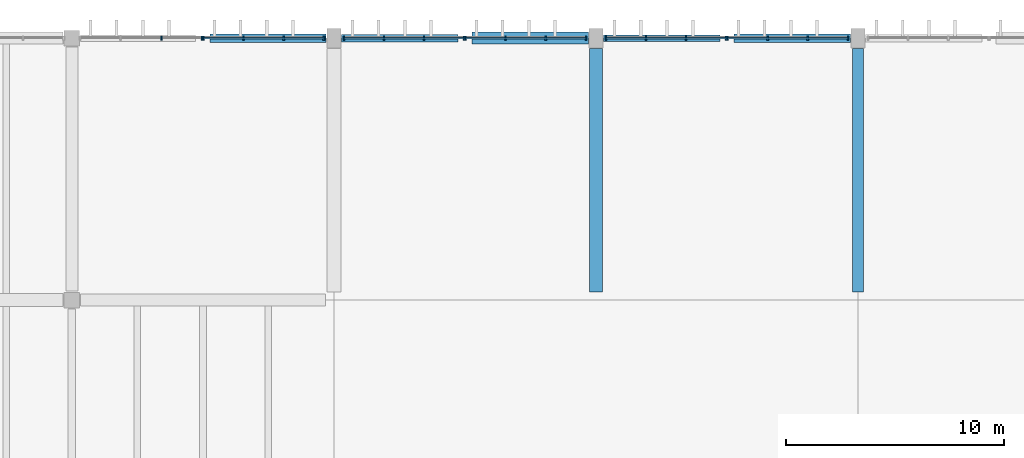
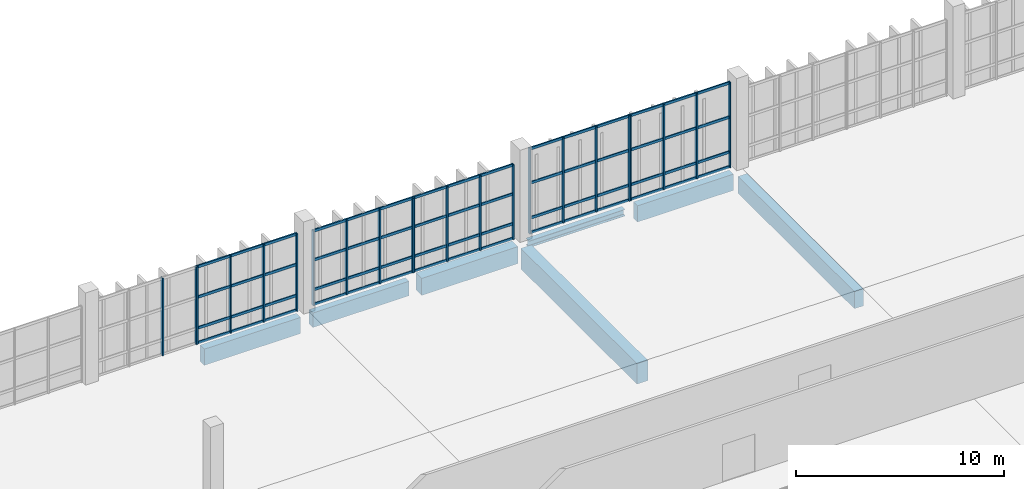
# One storey, part 53 of 112: 42 members, 7 beams, 6 elements without a shape of their own.
"""IFC4 building model written with IfcOpenShell, lengths in metres."""

from ifc_helpers import new_model, si_unit, direction, frame, origin, origin_2d, place, context, subcontext, project, spatial, rectangle, i_section, extrude, material, material_profile, profile_set, type_object, element, aggregate, save


model = new_model("IFC4")

# Units and contexts
model_context = context("Model", 3, precision=1e-05, world=origin(), true_north=direction((0.0, 1.0)))
body_context = subcontext(model_context, "Body", "Model", "MODEL_VIEW")
ifc_project = project(units=[si_unit("LENGTHUNIT", "METRE"), si_unit("AREAUNIT", "SQUARE_METRE"), si_unit("VOLUMEUNIT", "CUBIC_METRE"), si_unit("PLANEANGLEUNIT", "RADIAN"), si_unit("MASSUNIT", "GRAM", prefix="KILO")], contexts=[model_context])

# Site, building, storey
site_placement = place(None, origin())
site = spatial("IfcSite", under=ifc_project, at=site_placement, CompositionType="ELEMENT")
building_placement = place(site_placement, origin())
building = spatial("IfcBuilding", under=site, at=building_placement, Name="Kamomehara Wholesale Market", CompositionType="ELEMENT")
storey_placement = place(building_placement, frame((0.0, 0.0, 6.60009765625)))
storey = spatial("IfcBuildingStorey", under=building, at=storey_placement, Name="L01", CompositionType="ELEMENT", Elevation=6.60009765625)

# Beams
ifc_material_1 = material(Name="Precast concrete Fc45 (C40/50)", Category="concrete")
ifc_material_profile_1 = material_profile(ifc_material_1, rectangle(XDim=0.5, YDim=1.0, at=origin_2d()), Name="PC-GRD-500x1000")
ifc_profile_set_1 = profile_set([ifc_material_profile_1], Name="Precast concrete Fc45 (C40/50)")
beam_type_1 = type_object("IfcBeamType", Name="BM-PG1000", PredefinedType="T_BEAM", material=ifc_profile_set_1)
beam_1_placement = place(storey_placement, frame((96.0, 144.375, -0.83203125), z_axis=(0.0, 1.0, 0.0), x_axis=(-1.0, 0.0, 0.0)))
element("IfcBeam", 1, at=beam_1_placement, inside=storey, type_object=beam_type_1, Name="Beam PG-09 L01", PredefinedType="T_BEAM", context=body_context, shape_type="SweptSolid", body=[
    extrude(rectangle(XDim=0.5, YDim=1.0, at=origin_2d()), origin(), (0.0, 0.0, 1.0), 11.14990234375),
])
ifc_material_2 = material(Name="Precast concrete Fc45 (C40/50)", Category="concrete")
ifc_material_profile_2 = material_profile(ifc_material_2, rectangle(XDim=0.60009765625, YDim=1.199951171875, at=origin_2d()), Name="PC-GRD-600x1200")
ifc_profile_set_2 = profile_set([ifc_material_profile_2], Name="Precast concrete Fc45 (C40/50)")
beam_type_2 = type_object("IfcBeamType", Name="BM-PG1200", PredefinedType="T_BEAM", material=ifc_profile_set_2)
beam_2_placement = place(storey_placement, frame((84.0, 144.375, -0.93212890625), z_axis=(0.0, 1.0, 0.0), x_axis=(-1.0, 0.0, 0.0)))
element("IfcBeam", 2, at=beam_2_placement, inside=storey, type_object=beam_type_2, Name="Beam PG-05 L01", PredefinedType="T_BEAM", context=body_context, shape_type="SweptSolid", body=[
    extrude(rectangle(XDim=0.60009765625, YDim=1.199951171875, at=origin_2d()), origin(), (0.0, 0.0, 1.0), 11.14990234375),
])
ifc_material_3 = material(Name="Concrete Fc36 (C35/45)", Category="concrete")
ifc_material_profile_3 = material_profile(ifc_material_3, rectangle(XDim=0.550048828125, YDim=1.0, at=origin_2d()), Name="RC-SEB-550x1000")
ifc_profile_set_3 = profile_set([ifc_material_profile_3], Name="Concrete Fc36 (C35/45)")
beam_type_3 = type_object("IfcBeamType", Name="BM-SEB1000-EXT", PredefinedType="SPANDREL", material=ifc_profile_set_3)
beam_3_placement = place(storey_placement, frame((78.324951171875, 156.0, -0.83203125), z_axis=(1.0, 0.0, 0.0), x_axis=(0.0, 1.0, 0.0)))
element("IfcBeam", 3, at=beam_3_placement, inside=storey, type_object=beam_type_3, Name="Beam SEB-03E L01", PredefinedType="SPANDREL", context=body_context, shape_type="SweptSolid", body=[
    extrude(rectangle(XDim=0.550048828125, YDim=1.0, at=origin_2d()), origin(), (0.0, 0.0, 1.0), 5.324951171875),
])
ifc_material_4 = material(Name="Precast concrete Fc45 (C40/50)", Category="concrete")
ifc_material_profile_4 = material_profile(ifc_material_4, rectangle(XDim=0.35009765625, YDim=0.85009765625, at=origin_2d()), Name="PC-SPN-350x850")
ifc_profile_set_4 = profile_set([ifc_material_profile_4], Name="Precast concrete Fc45 (C40/50)")
beam_type_4 = type_object("IfcBeamType", Name="BM-SPN850-EXT", PredefinedType="SPANDREL", material=ifc_profile_set_4)
beam_4_placement = place(storey_placement, frame((72.35009765625, 156.0, -0.757080078125), z_axis=(1.0, 0.0, 0.0), x_axis=(0.0, 1.0, 0.0)))
element("IfcBeam", 4, at=beam_4_placement, inside=storey, type_object=beam_type_4, Name="Beam SPN-02E L01", PredefinedType="SPANDREL", context=body_context, shape_type="SweptSolid", body=[
    extrude(rectangle(XDim=0.35009765625, YDim=0.85009765625, at=origin_2d()), origin(), (0.0, 0.0, 1.0), 5.324951171875),
])
ifc_material_5 = material(Name="Precast concrete Fc45 (C40/50)", Category="concrete")
ifc_material_profile_5 = material_profile(ifc_material_5, rectangle(XDim=0.39990234375, YDim=0.949951171875, at=origin_2d()), Name="PC-SPN-400x950")
ifc_profile_set_5 = profile_set([ifc_material_profile_5], Name="Precast concrete Fc45 (C40/50)")
beam_type_5 = type_object("IfcBeamType", Name="BM-SPN950-EXT", PredefinedType="SPANDREL", material=ifc_profile_set_5)
for number, where, z_axis, x_axis, name in (
    (5, (66.324951171875, 156.0, -0.797119140625), (1.0, 0.0, 0.0), (0.0, 1.0, 0.0), "Beam SPN-01E L01"),
    (6, (90.324951171875, 156.0, -0.80712890625), (1.0, 0.0, 0.0), (0.0, 1.0, 0.0), "Beam SPN-01E L01"),
):
    element("IfcBeam", number, at=place(storey_placement, frame(where, z_axis=z_axis, x_axis=x_axis)), inside=storey, type_object=beam_type_5, Name=name, PredefinedType="SPANDREL", context=body_context, shape_type="SweptSolid", body=[
        extrude(rectangle(XDim=0.39990234375, YDim=0.949951171875, at=origin_2d()), origin(), (0.0, 0.0, 1.0), 5.324951171875),
    ])
ifc_material_6 = material(Name="Steel SN490B", Category="steel")
ifc_material_profile_6 = material_profile(ifc_material_6, i_section(OverallWidth=0.300048828125, OverallDepth=0.389892578125, WebThickness=0.010009765625, FlangeThickness=0.01611328125, FilletRadius=0.01806640625, at=origin_2d()), Name="H-390x300x10x16")
ifc_profile_set_6 = profile_set([ifc_material_profile_6], Name="Steel SN490B")
beam_type_6 = type_object("IfcBeamType", Name="BM-ST-H390-EXT", PredefinedType="SPANDREL", material=ifc_profile_set_6)
beam_5_placement = place(storey_placement, frame((84.35009765625, 156.0, -0.527099609375), z_axis=(1.0, 0.0, 0.0), x_axis=(0.0, 1.0, 0.0)))
element("IfcBeam", 7, at=beam_5_placement, inside=storey, type_object=beam_type_6, Name="Beam SJ-03E L01", PredefinedType="SPANDREL", context=body_context, shape_type="SweptSolid", body=[
    extrude(i_section(OverallWidth=0.300048828125, OverallDepth=0.389892578125, WebThickness=0.010009765625, FlangeThickness=0.01611328125, FilletRadius=0.01806640625, at=origin_2d()), origin(), (0.0, 0.0, 1.0), 5.324951171875),
])

# Curtain wall, members
ifc_material_7 = material(Name="Anodised aluminium 6063-T5", Category="aluminium")
curtain_wall_type = type_object("IfcCurtainWallType", Name="CW-UN-02", PredefinedType="NOTDEFINED", material=ifc_material_7)
curtain_wall_1_placement = place(storey_placement, origin())
curtain_wall_1 = element("IfcCurtainWall", 8, at=curtain_wall_1_placement, inside=storey, type_object=curtain_wall_type, Name="Unitised curtain wall CW-057", PredefinedType="NOTDEFINED")
ifc_material_8 = material(Name="Anodised aluminium 6063-T5", Category="aluminium")
ifc_material_profile_7 = material_profile(ifc_material_8, rectangle(XDim=0.074951171875, YDim=0.179931640625, at=origin_2d()), Name="ALU-MUL-75x180")
ifc_profile_set_7 = profile_set([ifc_material_profile_7], Name="Anodised aluminium 6063-T5")
member_type_1 = type_object("IfcMemberType", Name="CW-MUL-180", PredefinedType="MULLION", material=ifc_profile_set_7)
member_1_placement = place(storey_placement, frame((64.10302734375, 156.0, 0.0), z_axis=(0.0, 0.0, 1.0), x_axis=(1.0, 0.0, 0.0)))
member_1 = element("IfcMember", 9, at=member_1_placement, type_object=member_type_1, Name="Mullion CW-057.2", PredefinedType="MULLION", context=body_context, shape_type="SweptSolid", body=[
    extrude(rectangle(XDim=0.074951171875, YDim=0.179931640625, at=origin_2d()), origin(), (0.0, 0.0, 1.0), 4.52978515625),
])
member_2_placement = place(storey_placement, frame((65.969970703125, 156.0, 0.0), z_axis=(0.0, 0.0, 1.0), x_axis=(1.0, 0.0, 0.0)))
member_2 = element("IfcMember", 10, at=member_2_placement, type_object=member_type_1, Name="Mullion CW-057.3", PredefinedType="MULLION", context=body_context, shape_type="SweptSolid", body=[
    extrude(rectangle(XDim=0.074951171875, YDim=0.179931640625, at=origin_2d()), origin(), (0.0, 0.0, 1.0), 4.52978515625),
])
aggregate(curtain_wall_1, [member_1, member_2])

curtain_wall_2_placement = place(storey_placement, origin())
curtain_wall_2 = element("IfcCurtainWall", 11, at=curtain_wall_2_placement, inside=storey, type_object=curtain_wall_type, Name="Unitised curtain wall CW-058", PredefinedType="NOTDEFINED")
member_3_placement = place(storey_placement, frame((66.030029296875, 156.0, 0.0), z_axis=(0.0, 0.0, 1.0), x_axis=(1.0, 0.0, 0.0)))
member_3 = element("IfcMember", 12, at=member_3_placement, type_object=member_type_1, Name="Mullion CW-058.0", PredefinedType="MULLION", context=body_context, shape_type="SweptSolid", body=[
    extrude(rectangle(XDim=0.074951171875, YDim=0.179931640625, at=origin_2d()), origin(), (0.0, 0.0, 1.0), 4.52978515625),
])
member_4_placement = place(storey_placement, frame((67.866943359375, 156.0, 0.0), z_axis=(0.0, 0.0, 1.0), x_axis=(1.0, 0.0, 0.0)))
member_4 = element("IfcMember", 13, at=member_4_placement, type_object=member_type_1, Name="Mullion CW-058.1", PredefinedType="MULLION", context=body_context, shape_type="SweptSolid", body=[
    extrude(rectangle(XDim=0.074951171875, YDim=0.179931640625, at=origin_2d()), origin(), (0.0, 0.0, 1.0), 4.52978515625),
])
member_5_placement = place(storey_placement, frame((69.702880859375, 156.0, 0.0), z_axis=(0.0, 0.0, 1.0), x_axis=(1.0, 0.0, 0.0)))
member_5 = element("IfcMember", 14, at=member_5_placement, type_object=member_type_1, Name="Mullion CW-058.2", PredefinedType="MULLION", context=body_context, shape_type="SweptSolid", body=[
    extrude(rectangle(XDim=0.074951171875, YDim=0.179931640625, at=origin_2d()), origin(), (0.0, 0.0, 1.0), 4.52978515625),
])
member_6_placement = place(storey_placement, frame((71.5400390625, 156.0, 0.0), z_axis=(0.0, 0.0, 1.0), x_axis=(1.0, 0.0, 0.0)))
member_6 = element("IfcMember", 15, at=member_6_placement, type_object=member_type_1, Name="Mullion CW-058.3", PredefinedType="MULLION", context=body_context, shape_type="SweptSolid", body=[
    extrude(rectangle(XDim=0.074951171875, YDim=0.179931640625, at=origin_2d()), origin(), (0.0, 0.0, 1.0), 4.52978515625),
])

curtain_wall_3_placement = place(storey_placement, origin())
curtain_wall_3 = element("IfcCurtainWall", 16, at=curtain_wall_3_placement, inside=storey, type_object=curtain_wall_type, Name="Unitised curtain wall CW-061", PredefinedType="NOTDEFINED")
member_7_placement = place(storey_placement, frame((72.4599609375, 156.0, 0.0), z_axis=(0.0, 0.0, 1.0), x_axis=(1.0, 0.0, 0.0)))
member_7 = element("IfcMember", 17, at=member_7_placement, type_object=member_type_1, Name="Mullion CW-061.0", PredefinedType="MULLION", context=body_context, shape_type="SweptSolid", body=[
    extrude(rectangle(XDim=0.074951171875, YDim=0.179931640625, at=origin_2d()), origin(), (0.0, 0.0, 1.0), 4.3798828125),
])
member_8_placement = place(storey_placement, frame((74.297119140625, 156.0, 0.0), z_axis=(0.0, 0.0, 1.0), x_axis=(1.0, 0.0, 0.0)))
member_8 = element("IfcMember", 18, at=member_8_placement, type_object=member_type_1, Name="Mullion CW-061.1", PredefinedType="MULLION", context=body_context, shape_type="SweptSolid", body=[
    extrude(rectangle(XDim=0.074951171875, YDim=0.179931640625, at=origin_2d()), origin(), (0.0, 0.0, 1.0), 4.3798828125),
])
member_9_placement = place(storey_placement, frame((76.133056640625, 156.0, 0.0), z_axis=(0.0, 0.0, 1.0), x_axis=(1.0, 0.0, 0.0)))
member_9 = element("IfcMember", 19, at=member_9_placement, type_object=member_type_1, Name="Mullion CW-061.2", PredefinedType="MULLION", context=body_context, shape_type="SweptSolid", body=[
    extrude(rectangle(XDim=0.074951171875, YDim=0.179931640625, at=origin_2d()), origin(), (0.0, 0.0, 1.0), 4.3798828125),
])
member_10_placement = place(storey_placement, frame((77.969970703125, 156.0, 0.0), z_axis=(0.0, 0.0, 1.0), x_axis=(1.0, 0.0, 0.0)))
member_10 = element("IfcMember", 20, at=member_10_placement, type_object=member_type_1, Name="Mullion CW-061.3", PredefinedType="MULLION", context=body_context, shape_type="SweptSolid", body=[
    extrude(rectangle(XDim=0.074951171875, YDim=0.179931640625, at=origin_2d()), origin(), (0.0, 0.0, 1.0), 4.3798828125),
])

curtain_wall_4_placement = place(storey_placement, origin())
curtain_wall_4 = element("IfcCurtainWall", 21, at=curtain_wall_4_placement, inside=storey, type_object=curtain_wall_type, Name="Unitised curtain wall CW-062", PredefinedType="NOTDEFINED")
member_11_placement = place(storey_placement, frame((78.030029296875, 156.0, 0.0), z_axis=(0.0, 0.0, 1.0), x_axis=(1.0, 0.0, 0.0)))
member_11 = element("IfcMember", 22, at=member_11_placement, type_object=member_type_1, Name="Mullion CW-062.0", PredefinedType="MULLION", context=body_context, shape_type="SweptSolid", body=[
    extrude(rectangle(XDim=0.074951171875, YDim=0.179931640625, at=origin_2d()), origin(), (0.0, 0.0, 1.0), 4.3798828125),
])
member_12_placement = place(storey_placement, frame((79.866943359375, 156.0, 0.0), z_axis=(0.0, 0.0, 1.0), x_axis=(1.0, 0.0, 0.0)))
member_12 = element("IfcMember", 23, at=member_12_placement, type_object=member_type_1, Name="Mullion CW-062.1", PredefinedType="MULLION", context=body_context, shape_type="SweptSolid", body=[
    extrude(rectangle(XDim=0.074951171875, YDim=0.179931640625, at=origin_2d()), origin(), (0.0, 0.0, 1.0), 4.3798828125),
])
member_13_placement = place(storey_placement, frame((81.702880859375, 156.0, 0.0), z_axis=(0.0, 0.0, 1.0), x_axis=(1.0, 0.0, 0.0)))
member_13 = element("IfcMember", 24, at=member_13_placement, type_object=member_type_1, Name="Mullion CW-062.2", PredefinedType="MULLION", context=body_context, shape_type="SweptSolid", body=[
    extrude(rectangle(XDim=0.074951171875, YDim=0.179931640625, at=origin_2d()), origin(), (0.0, 0.0, 1.0), 4.3798828125),
])
member_14_placement = place(storey_placement, frame((83.5400390625, 156.0, 0.0), z_axis=(0.0, 0.0, 1.0), x_axis=(1.0, 0.0, 0.0)))
member_14 = element("IfcMember", 25, at=member_14_placement, type_object=member_type_1, Name="Mullion CW-062.3", PredefinedType="MULLION", context=body_context, shape_type="SweptSolid", body=[
    extrude(rectangle(XDim=0.074951171875, YDim=0.179931640625, at=origin_2d()), origin(), (0.0, 0.0, 1.0), 4.3798828125),
])

curtain_wall_5_placement = place(storey_placement, origin())
curtain_wall_5 = element("IfcCurtainWall", 26, at=curtain_wall_5_placement, inside=storey, type_object=curtain_wall_type, Name="Unitised curtain wall CW-065", PredefinedType="NOTDEFINED")
member_15_placement = place(storey_placement, frame((84.4599609375, 156.0, 0.0), z_axis=(0.0, 0.0, 1.0), x_axis=(1.0, 0.0, 0.0)))
member_15 = element("IfcMember", 27, at=member_15_placement, type_object=member_type_1, Name="Mullion CW-065.0", PredefinedType="MULLION", context=body_context, shape_type="SweptSolid", body=[
    extrude(rectangle(XDim=0.074951171875, YDim=0.179931640625, at=origin_2d()), origin(), (0.0, 0.0, 1.0), 4.989990234375),
])
member_16_placement = place(storey_placement, frame((86.297119140625, 156.0, 0.0), z_axis=(0.0, 0.0, 1.0), x_axis=(1.0, 0.0, 0.0)))
member_16 = element("IfcMember", 28, at=member_16_placement, type_object=member_type_1, Name="Mullion CW-065.1", PredefinedType="MULLION", context=body_context, shape_type="SweptSolid", body=[
    extrude(rectangle(XDim=0.074951171875, YDim=0.179931640625, at=origin_2d()), origin(), (0.0, 0.0, 1.0), 4.989990234375),
])
member_17_placement = place(storey_placement, frame((88.133056640625, 156.0, 0.0), z_axis=(0.0, 0.0, 1.0), x_axis=(1.0, 0.0, 0.0)))
member_17 = element("IfcMember", 29, at=member_17_placement, type_object=member_type_1, Name="Mullion CW-065.2", PredefinedType="MULLION", context=body_context, shape_type="SweptSolid", body=[
    extrude(rectangle(XDim=0.074951171875, YDim=0.179931640625, at=origin_2d()), origin(), (0.0, 0.0, 1.0), 4.989990234375),
])
member_18_placement = place(storey_placement, frame((89.969970703125, 156.0, 0.0), z_axis=(0.0, 0.0, 1.0), x_axis=(1.0, 0.0, 0.0)))
member_18 = element("IfcMember", 30, at=member_18_placement, type_object=member_type_1, Name="Mullion CW-065.3", PredefinedType="MULLION", context=body_context, shape_type="SweptSolid", body=[
    extrude(rectangle(XDim=0.074951171875, YDim=0.179931640625, at=origin_2d()), origin(), (0.0, 0.0, 1.0), 4.989990234375),
])

curtain_wall_6_placement = place(storey_placement, origin())
curtain_wall_6 = element("IfcCurtainWall", 31, at=curtain_wall_6_placement, inside=storey, type_object=curtain_wall_type, Name="Unitised curtain wall CW-066", PredefinedType="NOTDEFINED")
member_19_placement = place(storey_placement, frame((90.030029296875, 156.0, 0.0), z_axis=(0.0, 0.0, 1.0), x_axis=(1.0, 0.0, 0.0)))
member_19 = element("IfcMember", 32, at=member_19_placement, type_object=member_type_1, Name="Mullion CW-066.0", PredefinedType="MULLION", context=body_context, shape_type="SweptSolid", body=[
    extrude(rectangle(XDim=0.074951171875, YDim=0.179931640625, at=origin_2d()), origin(), (0.0, 0.0, 1.0), 4.989990234375),
])
member_20_placement = place(storey_placement, frame((91.866943359375, 156.0, 0.0), z_axis=(0.0, 0.0, 1.0), x_axis=(1.0, 0.0, 0.0)))
member_20 = element("IfcMember", 33, at=member_20_placement, type_object=member_type_1, Name="Mullion CW-066.1", PredefinedType="MULLION", context=body_context, shape_type="SweptSolid", body=[
    extrude(rectangle(XDim=0.074951171875, YDim=0.179931640625, at=origin_2d()), origin(), (0.0, 0.0, 1.0), 4.989990234375),
])
member_21_placement = place(storey_placement, frame((93.702880859375, 156.0, 0.0), z_axis=(0.0, 0.0, 1.0), x_axis=(1.0, 0.0, 0.0)))
member_21 = element("IfcMember", 34, at=member_21_placement, type_object=member_type_1, Name="Mullion CW-066.2", PredefinedType="MULLION", context=body_context, shape_type="SweptSolid", body=[
    extrude(rectangle(XDim=0.074951171875, YDim=0.179931640625, at=origin_2d()), origin(), (0.0, 0.0, 1.0), 4.989990234375),
])
member_22_placement = place(storey_placement, frame((95.5400390625, 156.0, 0.0), z_axis=(0.0, 0.0, 1.0), x_axis=(1.0, 0.0, 0.0)))
member_22 = element("IfcMember", 35, at=member_22_placement, type_object=member_type_1, Name="Mullion CW-066.3", PredefinedType="MULLION", context=body_context, shape_type="SweptSolid", body=[
    extrude(rectangle(XDim=0.074951171875, YDim=0.179931640625, at=origin_2d()), origin(), (0.0, 0.0, 1.0), 4.989990234375),
])

# Member
ifc_material_9 = material(Name="Anodised aluminium 6063-T5", Category="aluminium")
ifc_material_profile_8 = material_profile(ifc_material_9, rectangle(XDim=0.074951171875, YDim=0.14990234375, at=origin_2d()), Name="ALU-TRN-75x150")
ifc_profile_set_8 = profile_set([ifc_material_profile_8], Name="Anodised aluminium 6063-T5")
member_type_2 = type_object("IfcMemberType", Name="CW-TRN-150", PredefinedType="USERDEFINED", material=ifc_profile_set_8)
member_23_placement = place(storey_placement, frame((66.030029296875, 156.0, 0.039794921875), z_axis=(1.0, 0.0, 0.0), x_axis=(0.0, 1.0, 0.0)))
member_23 = element("IfcMember", 36, at=member_23_placement, type_object=member_type_2, Name="Transom CW-058.0", ObjectType="TRANSOM", PredefinedType="USERDEFINED", context=body_context, shape_type="SweptSolid", body=[
    extrude(rectangle(XDim=0.074951171875, YDim=0.14990234375, at=origin_2d()), origin(), (0.0, 0.0, 1.0), 5.510009765625),
])

member_24_placement = place(storey_placement, frame((66.030029296875, 156.0, 0.89990234375), z_axis=(1.0, 0.0, 0.0), x_axis=(0.0, 1.0, 0.0)))
member_24 = element("IfcMember", 37, at=member_24_placement, type_object=member_type_2, Name="Transom CW-058.1", ObjectType="TRANSOM", PredefinedType="USERDEFINED", context=body_context, shape_type="SweptSolid", body=[
    extrude(rectangle(XDim=0.074951171875, YDim=0.14990234375, at=origin_2d()), origin(), (0.0, 0.0, 1.0), 5.510009765625),
])

member_25_placement = place(storey_placement, frame((66.030029296875, 156.0, 2.71484375), z_axis=(1.0, 0.0, 0.0), x_axis=(0.0, 1.0, 0.0)))
member_25 = element("IfcMember", 38, at=member_25_placement, type_object=member_type_2, Name="Transom CW-058.2", ObjectType="TRANSOM", PredefinedType="USERDEFINED", context=body_context, shape_type="SweptSolid", body=[
    extrude(rectangle(XDim=0.074951171875, YDim=0.14990234375, at=origin_2d()), origin(), (0.0, 0.0, 1.0), 5.510009765625),
])

member_26_placement = place(storey_placement, frame((66.030029296875, 156.0, 4.489990234375), z_axis=(1.0, 0.0, 0.0), x_axis=(0.0, 1.0, 0.0)))
member_26 = element("IfcMember", 39, at=member_26_placement, type_object=member_type_2, Name="Transom CW-058.3", ObjectType="TRANSOM", PredefinedType="USERDEFINED", context=body_context, shape_type="SweptSolid", body=[
    extrude(rectangle(XDim=0.074951171875, YDim=0.14990234375, at=origin_2d()), origin(), (0.0, 0.0, 1.0), 5.510009765625),
])

aggregate(curtain_wall_2, [member_3, member_4, member_5, member_6, member_23, member_24, member_25, member_26])

member_27_placement = place(storey_placement, frame((72.4599609375, 156.0, 0.039794921875), z_axis=(1.0, 0.0, 0.0), x_axis=(0.0, 1.0, 0.0)))
member_27 = element("IfcMember", 40, at=member_27_placement, type_object=member_type_2, Name="Transom CW-061.0", ObjectType="TRANSOM", PredefinedType="USERDEFINED", context=body_context, shape_type="SweptSolid", body=[
    extrude(rectangle(XDim=0.074951171875, YDim=0.14990234375, at=origin_2d()), origin(), (0.0, 0.0, 1.0), 5.510009765625),
])

member_28_placement = place(storey_placement, frame((72.4599609375, 156.0, 0.89990234375), z_axis=(1.0, 0.0, 0.0), x_axis=(0.0, 1.0, 0.0)))
member_28 = element("IfcMember", 41, at=member_28_placement, type_object=member_type_2, Name="Transom CW-061.1", ObjectType="TRANSOM", PredefinedType="USERDEFINED", context=body_context, shape_type="SweptSolid", body=[
    extrude(rectangle(XDim=0.074951171875, YDim=0.14990234375, at=origin_2d()), origin(), (0.0, 0.0, 1.0), 5.510009765625),
])

member_29_placement = place(storey_placement, frame((72.4599609375, 156.0, 2.639892578125), z_axis=(1.0, 0.0, 0.0), x_axis=(0.0, 1.0, 0.0)))
member_29 = element("IfcMember", 42, at=member_29_placement, type_object=member_type_2, Name="Transom CW-061.2", ObjectType="TRANSOM", PredefinedType="USERDEFINED", context=body_context, shape_type="SweptSolid", body=[
    extrude(rectangle(XDim=0.074951171875, YDim=0.14990234375, at=origin_2d()), origin(), (0.0, 0.0, 1.0), 5.510009765625),
])

member_30_placement = place(storey_placement, frame((72.4599609375, 156.0, 4.33984375), z_axis=(1.0, 0.0, 0.0), x_axis=(0.0, 1.0, 0.0)))
member_30 = element("IfcMember", 43, at=member_30_placement, type_object=member_type_2, Name="Transom CW-061.3", ObjectType="TRANSOM", PredefinedType="USERDEFINED", context=body_context, shape_type="SweptSolid", body=[
    extrude(rectangle(XDim=0.074951171875, YDim=0.14990234375, at=origin_2d()), origin(), (0.0, 0.0, 1.0), 5.510009765625),
])

aggregate(curtain_wall_3, [member_7, member_8, member_9, member_10, member_27, member_28, member_29, member_30])

member_31_placement = place(storey_placement, frame((78.030029296875, 156.0, 0.039794921875), z_axis=(1.0, 0.0, 0.0), x_axis=(0.0, 1.0, 0.0)))
member_31 = element("IfcMember", 44, at=member_31_placement, type_object=member_type_2, Name="Transom CW-062.0", ObjectType="TRANSOM", PredefinedType="USERDEFINED", context=body_context, shape_type="SweptSolid", body=[
    extrude(rectangle(XDim=0.074951171875, YDim=0.14990234375, at=origin_2d()), origin(), (0.0, 0.0, 1.0), 5.510009765625),
])

member_32_placement = place(storey_placement, frame((78.030029296875, 156.0, 0.89990234375), z_axis=(1.0, 0.0, 0.0), x_axis=(0.0, 1.0, 0.0)))
member_32 = element("IfcMember", 45, at=member_32_placement, type_object=member_type_2, Name="Transom CW-062.1", ObjectType="TRANSOM", PredefinedType="USERDEFINED", context=body_context, shape_type="SweptSolid", body=[
    extrude(rectangle(XDim=0.074951171875, YDim=0.14990234375, at=origin_2d()), origin(), (0.0, 0.0, 1.0), 5.510009765625),
])

member_33_placement = place(storey_placement, frame((78.030029296875, 156.0, 2.639892578125), z_axis=(1.0, 0.0, 0.0), x_axis=(0.0, 1.0, 0.0)))
member_33 = element("IfcMember", 46, at=member_33_placement, type_object=member_type_2, Name="Transom CW-062.2", ObjectType="TRANSOM", PredefinedType="USERDEFINED", context=body_context, shape_type="SweptSolid", body=[
    extrude(rectangle(XDim=0.074951171875, YDim=0.14990234375, at=origin_2d()), origin(), (0.0, 0.0, 1.0), 5.510009765625),
])

member_34_placement = place(storey_placement, frame((78.030029296875, 156.0, 4.33984375), z_axis=(1.0, 0.0, 0.0), x_axis=(0.0, 1.0, 0.0)))
member_34 = element("IfcMember", 47, at=member_34_placement, type_object=member_type_2, Name="Transom CW-062.3", ObjectType="TRANSOM", PredefinedType="USERDEFINED", context=body_context, shape_type="SweptSolid", body=[
    extrude(rectangle(XDim=0.074951171875, YDim=0.14990234375, at=origin_2d()), origin(), (0.0, 0.0, 1.0), 5.510009765625),
])

aggregate(curtain_wall_4, [member_11, member_12, member_13, member_14, member_31, member_32, member_33, member_34])

member_35_placement = place(storey_placement, frame((84.4599609375, 156.0, 0.039794921875), z_axis=(1.0, 0.0, 0.0), x_axis=(0.0, 1.0, 0.0)))
member_35 = element("IfcMember", 48, at=member_35_placement, type_object=member_type_2, Name="Transom CW-065.0", ObjectType="TRANSOM", PredefinedType="USERDEFINED", context=body_context, shape_type="SweptSolid", body=[
    extrude(rectangle(XDim=0.074951171875, YDim=0.14990234375, at=origin_2d()), origin(), (0.0, 0.0, 1.0), 5.510009765625),
])

member_36_placement = place(storey_placement, frame((84.4599609375, 156.0, 0.89990234375), z_axis=(1.0, 0.0, 0.0), x_axis=(0.0, 1.0, 0.0)))
member_36 = element("IfcMember", 49, at=member_36_placement, type_object=member_type_2, Name="Transom CW-065.1", ObjectType="TRANSOM", PredefinedType="USERDEFINED", context=body_context, shape_type="SweptSolid", body=[
    extrude(rectangle(XDim=0.074951171875, YDim=0.14990234375, at=origin_2d()), origin(), (0.0, 0.0, 1.0), 5.510009765625),
])

member_37_placement = place(storey_placement, frame((84.4599609375, 156.0, 2.94482421875), z_axis=(1.0, 0.0, 0.0), x_axis=(0.0, 1.0, 0.0)))
member_37 = element("IfcMember", 50, at=member_37_placement, type_object=member_type_2, Name="Transom CW-065.2", ObjectType="TRANSOM", PredefinedType="USERDEFINED", context=body_context, shape_type="SweptSolid", body=[
    extrude(rectangle(XDim=0.074951171875, YDim=0.14990234375, at=origin_2d()), origin(), (0.0, 0.0, 1.0), 5.510009765625),
])

member_38_placement = place(storey_placement, frame((84.4599609375, 156.0, 4.949951171875), z_axis=(1.0, 0.0, 0.0), x_axis=(0.0, 1.0, 0.0)))
member_38 = element("IfcMember", 51, at=member_38_placement, type_object=member_type_2, Name="Transom CW-065.3", ObjectType="TRANSOM", PredefinedType="USERDEFINED", context=body_context, shape_type="SweptSolid", body=[
    extrude(rectangle(XDim=0.074951171875, YDim=0.14990234375, at=origin_2d()), origin(), (0.0, 0.0, 1.0), 5.510009765625),
])

aggregate(curtain_wall_5, [member_15, member_16, member_17, member_18, member_35, member_36, member_37, member_38])

member_39_placement = place(storey_placement, frame((90.030029296875, 156.0, 0.039794921875), z_axis=(1.0, 0.0, 0.0), x_axis=(0.0, 1.0, 0.0)))
member_39 = element("IfcMember", 52, at=member_39_placement, type_object=member_type_2, Name="Transom CW-066.0", ObjectType="TRANSOM", PredefinedType="USERDEFINED", context=body_context, shape_type="SweptSolid", body=[
    extrude(rectangle(XDim=0.074951171875, YDim=0.14990234375, at=origin_2d()), origin(), (0.0, 0.0, 1.0), 5.510009765625),
])

member_40_placement = place(storey_placement, frame((90.030029296875, 156.0, 0.89990234375), z_axis=(1.0, 0.0, 0.0), x_axis=(0.0, 1.0, 0.0)))
member_40 = element("IfcMember", 53, at=member_40_placement, type_object=member_type_2, Name="Transom CW-066.1", ObjectType="TRANSOM", PredefinedType="USERDEFINED", context=body_context, shape_type="SweptSolid", body=[
    extrude(rectangle(XDim=0.074951171875, YDim=0.14990234375, at=origin_2d()), origin(), (0.0, 0.0, 1.0), 5.510009765625),
])

member_41_placement = place(storey_placement, frame((90.030029296875, 156.0, 2.94482421875), z_axis=(1.0, 0.0, 0.0), x_axis=(0.0, 1.0, 0.0)))
member_41 = element("IfcMember", 54, at=member_41_placement, type_object=member_type_2, Name="Transom CW-066.2", ObjectType="TRANSOM", PredefinedType="USERDEFINED", context=body_context, shape_type="SweptSolid", body=[
    extrude(rectangle(XDim=0.074951171875, YDim=0.14990234375, at=origin_2d()), origin(), (0.0, 0.0, 1.0), 5.510009765625),
])

member_42_placement = place(storey_placement, frame((90.030029296875, 156.0, 4.949951171875), z_axis=(1.0, 0.0, 0.0), x_axis=(0.0, 1.0, 0.0)))
member_42 = element("IfcMember", 55, at=member_42_placement, type_object=member_type_2, Name="Transom CW-066.3", ObjectType="TRANSOM", PredefinedType="USERDEFINED", context=body_context, shape_type="SweptSolid", body=[
    extrude(rectangle(XDim=0.074951171875, YDim=0.14990234375, at=origin_2d()), origin(), (0.0, 0.0, 1.0), 5.510009765625),
])

aggregate(curtain_wall_6, [member_19, member_20, member_21, member_22, member_39, member_40, member_41, member_42])

save(model, "model.ifc")
